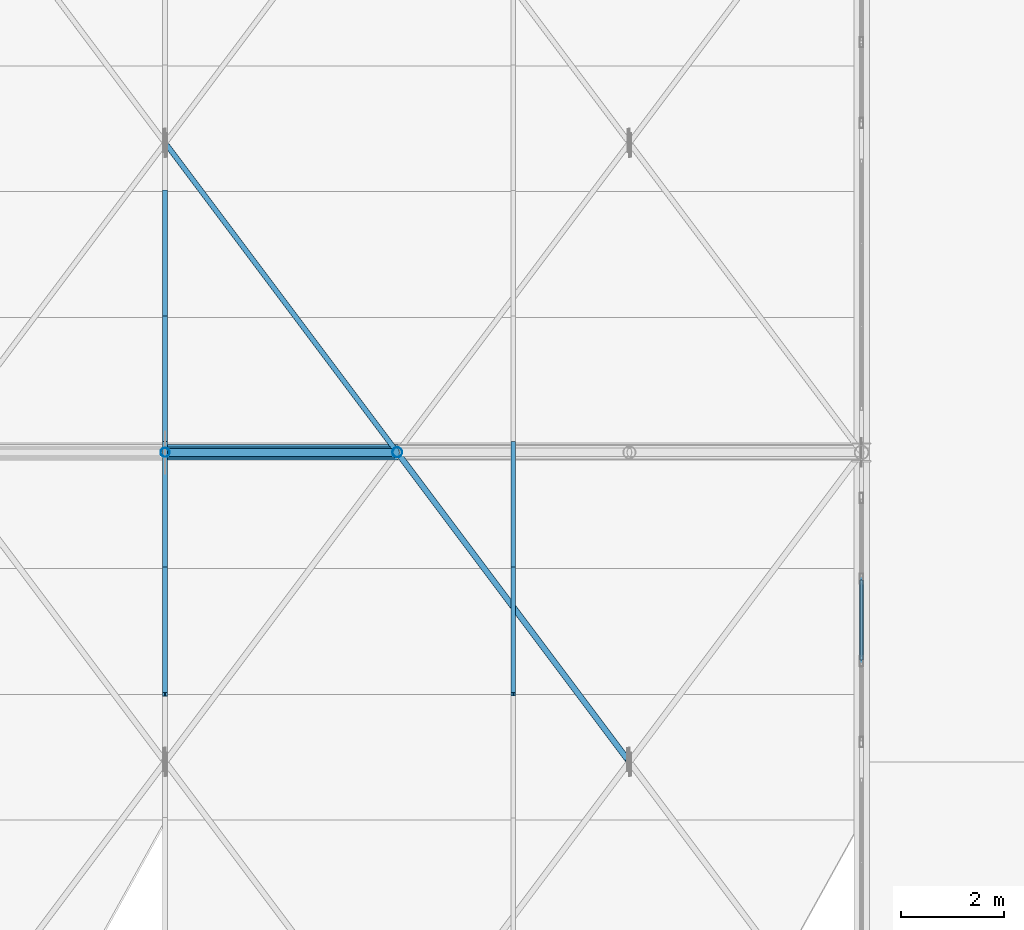
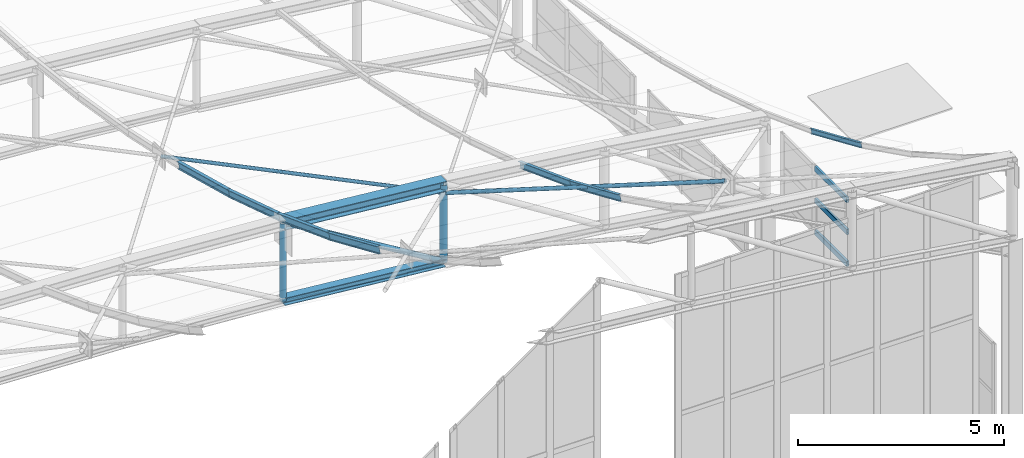
# One storey, part 75 of 262: 17 members, 1 element without a shape of its own.
"""IFC4 building model written with IfcOpenShell, lengths in metres."""

import ifcopenshell
import ifcopenshell.guid

model = None  # the IFC model being written
_history = None  # IfcOwnerHistory: only IFC2X3 demands one
_inside = {}  # id of a spatial element -> (the spatial element, [elements in it])
_under = {}  # id of a project, library or spatial element -> (it, [spatial elements below it])
_declared = {}  # id of a project -> (the project, [libraries it declares])
_typed = {}  # id of a type object -> (the type object, [elements of that type])
_made_of = {}  # id of a material, layer set ... -> (it, [elements and type objects made of it])


def new_model(schema):
    """Start an empty IFC model of exactly this schema.

    Asked for "IFC4X3", IfcOpenShell would pick the latest addendum, in which some entities
    have other attributes; the version numbers below select the first issue.
    IFC2X3 requires an IfcOwnerHistory on every rooted entity: one is made here for all.
    """
    global model, _history
    if schema == "IFC4X3":
        model = ifcopenshell.file(schema_version=(4, 3, 0, 0))
    else:
        model = ifcopenshell.file(schema=schema)
    _inside.clear()
    _under.clear()
    _declared.clear()
    _typed.clear()
    _made_of.clear()
    _history = None
    if model.schema == "IFC2X3":
        org = make("IfcOrganization", Name="unknown")
        user = make(
            "IfcPersonAndOrganization",
            ThePerson=make("IfcPerson", FamilyName="unknown"),
            TheOrganization=org,
        )
        app = make(
            "IfcApplication",
            ApplicationDeveloper=org,
            Version="unknown",
            ApplicationFullName="unknown",
            ApplicationIdentifier="unknown",
        )
        _history = make(
            "IfcOwnerHistory",
            OwningUser=user,
            OwningApplication=app,
            ChangeAction="ADDED",
            CreationDate=0,
        )
    return model


def make(cls, **values):
    """One entity of the class cls with the attributes given. An attribute that is None is left unset."""
    return model.create_entity(
        cls, **{name: value for name, value in values.items() if value is not None}
    )


def rooted(cls, **values):
    """An entity with a GlobalId (a new one), such as an element, a storey or a relation."""
    return make(cls, GlobalId=ifcopenshell.guid.new(), OwnerHistory=_history, **values)


def si_unit(unit_type, name, prefix=None):
    """IfcSIUnit, for example si_unit("LENGTHUNIT", "METRE", prefix="MILLI")."""
    return make("IfcSIUnit", UnitType=unit_type, Prefix=prefix, Name=name)


def derived_unit(unit_type, elements):
    """IfcDerivedUnit: a product of units, each with its exponent."""
    return make(
        "IfcDerivedUnit",
        Elements=[
            make("IfcDerivedUnitElement", Unit=unit, Exponent=power)
            for unit, power in elements
        ],
        UnitType=unit_type,
    )


def assignment(units):
    """IfcUnitAssignment: the units of a project."""
    return None if units is None else make("IfcUnitAssignment", Units=units)


def point(xyz):
    """IfcCartesianPoint."""
    return None if xyz is None else make("IfcCartesianPoint", Coordinates=xyz)


def direction(xyz):
    """IfcDirection."""
    return None if xyz is None else make("IfcDirection", DirectionRatios=xyz)


def frame(location, z_axis=None, x_axis=None):
    """IfcAxis2Placement3D, a coordinate frame: its origin and axes. An axis left out is left unset."""
    return make(
        "IfcAxis2Placement3D",
        Location=point(location),
        Axis=direction(z_axis),
        RefDirection=direction(x_axis),
    )


def frame_2d(location, x_axis=None):
    """IfcAxis2Placement2D, a coordinate frame in the plane: its origin and x axis."""
    return make(
        "IfcAxis2Placement2D", Location=point(location), RefDirection=direction(x_axis)
    )


def origin():
    """The frame at (0, 0, 0) with its axes left unset."""
    return frame((0.0, 0.0, 0.0))


def origin_2d():
    """The frame at (0, 0) in the plane with its x axis left unset."""
    return frame_2d((0.0, 0.0))


def place(relative_to, where):
    """IfcLocalPlacement: puts the frame where relative to a parent placement (None: the world)."""
    return make(
        "IfcLocalPlacement", PlacementRelTo=relative_to, RelativePlacement=where
    )


def context(
    kind, dimensions, precision=None, world=None, true_north=None, identifier=None
):
    """IfcGeometricRepresentationContext, for example the 3D "Model" context."""
    return make(
        "IfcGeometricRepresentationContext",
        ContextIdentifier=identifier,
        ContextType=kind,
        CoordinateSpaceDimension=dimensions,
        Precision=precision,
        WorldCoordinateSystem=world,
        TrueNorth=true_north,
    )


def subcontext(parent, identifier, kind, view, scale=None):
    """IfcGeometricRepresentationSubContext, for example "Body" below "Model"."""
    return make(
        "IfcGeometricRepresentationSubContext",
        ContextIdentifier=identifier,
        ContextType=kind,
        ParentContext=parent,
        TargetScale=scale,
        TargetView=view,
    )


def project(units=None, contexts=None):
    """IfcProject with its units and contexts."""
    return rooted(
        "IfcProject",
        Name="project",
        RepresentationContexts=contexts,
        UnitsInContext=assignment(units),
    )


def spatial(cls, under=None, at=None, **own):
    """A site, building, storey or space (cls), placed at a placement, below another one or the project."""
    s = rooted(cls, ObjectPlacement=at, **own)
    if under is not None:
        _under.setdefault(under.id(), (under, []))[1].append(s)
    return s


def profile(cls, at=None, kind="AREA", **sizes):
    """A parametric profile (cls). Its sizes go by their IFC names, for example OverallWidth=200.0."""
    return make(cls, ProfileType=kind, Position=at, **sizes)


def hollow_rectangle(**sizes):
    """IfcRectangleHollowProfileDef."""
    return profile("IfcRectangleHollowProfileDef", **sizes)


def hollow_circle(**sizes):
    """IfcCircleHollowProfileDef."""
    return profile("IfcCircleHollowProfileDef", **sizes)


def i_section(**sizes):
    """IfcIShapeProfileDef."""
    return profile("IfcIShapeProfileDef", **sizes)


def extrude(swept, where, along, depth):
    """IfcExtrudedAreaSolid: the profile swept, set in the frame where, extruded along a direction by depth."""
    return make(
        "IfcExtrudedAreaSolid",
        SweptArea=swept,
        Position=where,
        ExtrudedDirection=direction(along),
        Depth=depth,
    )


def shape(context_of_items, identifier, shape_type, items):
    """IfcShapeRepresentation: the items that make up one representation, for example the "Body"."""
    return make(
        "IfcShapeRepresentation",
        ContextOfItems=context_of_items,
        RepresentationIdentifier=identifier,
        RepresentationType=shape_type,
        Items=items,
    )


def material(Name=None, Category=None):
    """IfcMaterial."""
    return make("IfcMaterial", Name=Name, Category=Category)


def layer(
    of_material, thickness, ventilated=None, Name=None, Category=None, Priority=None
):
    """IfcMaterialLayer: one layer of a wall or slab, of a material (None: an air gap)."""
    return make(
        "IfcMaterialLayer",
        Material=of_material,
        LayerThickness=thickness,
        IsVentilated=ventilated,
        Name=Name,
        Category=Category,
        Priority=Priority,
    )


def layer_set(layers, Name=None):
    """IfcMaterialLayerSet."""
    return make("IfcMaterialLayerSet", MaterialLayers=layers, LayerSetName=Name)


def material_profile(
    of_material, cross_section, Name=None, Category=None, Priority=None
):
    """IfcMaterialProfile: a cross section and its material."""
    return make(
        "IfcMaterialProfile",
        Name=Name,
        Material=of_material,
        Profile=cross_section,
        Priority=Priority,
        Category=Category,
    )


def profile_set(profiles, Name=None, composite=None):
    """IfcMaterialProfileSet."""
    return make(
        "IfcMaterialProfileSet",
        Name=Name,
        MaterialProfiles=profiles,
        CompositeProfile=composite,
    )


def made_of(thing, what):
    """Note that an element or type object is made of a material, layer set ...; save() writes the relation."""
    if what is not None:
        _made_of.setdefault(what.id(), (what, []))[1].append(thing)
    return thing


def type_object(cls, material=None, **own):
    """A type object (cls), such as IfcWallType, which elements share."""
    return made_of(rooted(cls, **own), material)


def element(
    cls,
    number,
    at=None,
    inside=None,
    cuts=None,
    type_object=None,
    material=None,
    context=None,
    identifier="Body",
    shape_type=None,
    held_by="IfcProductDefinitionShape",
    body=None,
    shapes=None,
    **own,
):
    """One element of the class cls, such as IfcWall. Its Tag is "e" and its number.

    at: its placement. inside: the storey or other place that contains it. cuts: it is an
    opening in that element (IfcRelVoidsElement). A single representation is given by context,
    identifier, shape_type and body (its items); several are given by shapes. held_by: the class
    of the entity that holds the representations. save() writes the other relations.
    """
    e = rooted(cls, Tag="e%d" % number, ObjectPlacement=at, **own)
    if body is not None:
        shapes = [shape(context, identifier, shape_type, body)]
    if shapes is not None:
        e.Representation = make(held_by, Representations=shapes)
    if inside is not None:
        _inside.setdefault(inside.id(), (inside, []))[1].append(e)
    if cuts is not None:
        rooted(
            "IfcRelVoidsElement", RelatingBuildingElement=cuts, RelatedOpeningElement=e
        )
    if type_object is not None:
        _typed.setdefault(type_object.id(), (type_object, []))[1].append(e)
    return made_of(e, material)


def aggregate(whole, parts):
    """IfcRelAggregates: a whole, such as a stair, and the parts it consists of."""
    return rooted("IfcRelAggregates", RelatingObject=whole, RelatedObjects=parts)


def save(model, path):
    """Write the relations noted so far, then the file.

    IfcRelAggregates (storeys below a building ...), IfcRelContainedInSpatialStructure (elements
    in a storey), IfcRelDefinesByType, IfcRelAssociatesMaterial and IfcRelDeclares: one each for
    every whole, place, type object, material and project.
    """
    for whole, parts in _under.values():
        aggregate(whole, parts)
    for where, things in _inside.values():
        rooted(
            "IfcRelContainedInSpatialStructure",
            RelatedElements=things,
            RelatingStructure=where,
        )
    for kind, things in _typed.values():
        rooted("IfcRelDefinesByType", RelatedObjects=things, RelatingType=kind)
    for what, things in _made_of.values():
        rooted("IfcRelAssociatesMaterial", RelatedObjects=things, RelatingMaterial=what)
    for by, libraries in _declared.values():
        rooted("IfcRelDeclares", RelatingContext=by, RelatedDefinitions=libraries)
    model.write(path)


model = new_model("IFC4")

# Units and contexts
model_context = context("Model", 3, precision=1e-05, world=origin(), true_north=direction((0.0, 1.0)))
body_context = subcontext(model_context, "Body", "Model", "MODEL_VIEW")
ifc_project = project(units=[si_unit("LENGTHUNIT", "METRE"), si_unit("AREAUNIT", "SQUARE_METRE"), si_unit("VOLUMEUNIT", "CUBIC_METRE"), si_unit("PLANEANGLEUNIT", "RADIAN"), si_unit("MASSUNIT", "GRAM", prefix="KILO"), derived_unit("THERMALTRANSMITTANCEUNIT", [(si_unit("POWERUNIT", "WATT"), 1), (si_unit("LENGTHUNIT", "METRE"), -2), (si_unit("THERMODYNAMICTEMPERATUREUNIT", "KELVIN"), -1)])], contexts=[model_context])

# Site, building, storey
site_placement = place(None, origin())
site = spatial("IfcSite", under=ifc_project, at=site_placement, CompositionType="ELEMENT")
building_placement = place(site_placement, origin())
building = spatial("IfcBuilding", under=site, at=building_placement, Name="Almenara Railside Exhibition Hall", CompositionType="ELEMENT")
storey_placement = place(building_placement, frame((0.0, 0.0, 21.699951171875)))
storey = spatial("IfcBuildingStorey", under=building, at=storey_placement, Name="RF", CompositionType="ELEMENT", Elevation=21.699951171875)

# Members
ifc_material_1 = material(Name="Structural steel S355JR", Category="steel")
ifc_material_profile_1 = material_profile(ifc_material_1, i_section(OverallWidth=0.300048828125, OverallDepth=0.300048828125, WebThickness=0.010986328125, FlangeThickness=0.01904296875, FilletRadius=0.027099609375, at=origin_2d()), Name="HEB 300")
ifc_profile_set_1 = profile_set([ifc_material_profile_1], Name="Structural steel S355JR")
member_type_1 = type_object("IfcMemberType", Name="Arched Inner Top Chord HEB 300 S355JR", PredefinedType="CHORD", material=ifc_profile_set_1)
member_1_placement = place(storey_placement, frame((52.5, 60.0, 4.4912109375), z_axis=(0.995512933083, 0.0, -0.094625578275), x_axis=(0.0, 1.0, 0.0)))
element("IfcMember", 1, at=member_1_placement, inside=storey, type_object=member_type_1, Name="MEM-TC-V1-01-09", PredefinedType="CHORD", context=body_context, shape_type="SweptSolid", body=[
    extrude(i_section(OverallWidth=0.300048828125, OverallDepth=0.300048828125, WebThickness=0.010986328125, FlangeThickness=0.01904296875, FilletRadius=0.027099609375, at=origin_2d()), origin(), (0.0, 0.0, 1.0), 4.520263671875),
])
ifc_material_profile_2 = material_profile(ifc_material_1, i_section(OverallWidth=0.072998046875, OverallDepth=0.139892578125, WebThickness=0.004638671875, FlangeThickness=0.0068359375, FilletRadius=0.007080078125, at=origin_2d()), Name="IPE 140")
ifc_profile_set_2 = profile_set([ifc_material_profile_2], Name="Structural steel S355JR")
member_type_2 = type_object("IfcMemberType", Name="Canopy Edge Purlin IPE 140 S355JR", PredefinedType="PURLIN", material=ifc_profile_set_2)
member_2_placement = place(storey_placement, frame((66.0, 55.31005859375, 4.891845703125), z_axis=(0.0, 0.917189812532, -0.398450558775), x_axis=(-1.0, 0.0, 0.0)))
element("IfcMember", 2, at=member_2_placement, inside=storey, type_object=member_type_2, Name="MEM-PR-V1-PR-IPE140-08-03", PredefinedType="PURLIN", context=body_context, shape_type="SweptSolid", body=[
    extrude(i_section(OverallWidth=0.072998046875, OverallDepth=0.139892578125, WebThickness=0.004638671875, FlangeThickness=0.0068359375, FilletRadius=0.007080078125, at=origin_2d()), origin(), (0.0, 0.0, 1.0), 2.65673828125),
])

# Curtain wall, members
ifc_material_2 = material(Name="Bronze-anodised aluminium and low-E double glazing", Category="aluminium")
ifc_layer = layer(ifc_material_2, 0.179931640625, Name="Bronze-anodised aluminium and low-E double glazing")
ifc_layer_set = layer_set([ifc_layer], Name="Bronze-anodised aluminium and low-E double glazing")
curtain_wall_type = type_object("IfcCurtainWallType", Name="West Hall Clerestory Curtain Wall 4200x2400", PredefinedType="NOTDEFINED", material=ifc_layer_set)
curtain_wall_placement = place(storey_placement, origin())
curtain_wall = element("IfcCurtainWall", 3, at=curtain_wall_placement, inside=storey, type_object=curtain_wall_type, Name="Curtain wall CW-CL1-171", PredefinedType="NOTDEFINED")
ifc_material_3 = material(Name="Bronze-anodised aluminium", Category="aluminium")
ifc_material_profile_3 = material_profile(ifc_material_3, hollow_rectangle(XDim=0.070068359375, YDim=0.159912109375, WallThickness=0.00390625, InnerFilletRadius=0.00390625, OuterFilletRadius=0.008056640625, at=origin_2d()), Name="ALU-TRN 70x160x4")
ifc_profile_set_3 = profile_set([ifc_material_profile_3], Name="Bronze-anodised aluminium")
member_type_3 = type_object("IfcMemberType", Name="Curtain Wall Transom 70x160x4", PredefinedType="USERDEFINED", material=ifc_profile_set_3)
member_3_placement = place(storey_placement, frame((66.0, 55.97705078125, 0.969970703125), z_axis=(0.0, 1.0, 0.0), x_axis=(-1.0, 0.0, 0.0)))
member_3 = element("IfcMember", 4, at=member_3_placement, type_object=member_type_3, Name="CW-CL1-171 transom 2.1", ObjectType="TRANSOM", PredefinedType="USERDEFINED", context=body_context, shape_type="SweptSolid", body=[
    extrude(hollow_rectangle(XDim=0.070068359375, YDim=0.159912109375, WallThickness=0.00390625, InnerFilletRadius=0.00390625, OuterFilletRadius=0.008056640625, at=origin_2d()), origin(), (0.0, 0.0, 1.0), 1.5458984375),
])
member_4_placement = place(storey_placement, frame((66.0, 55.97705078125, 1.9150390625), z_axis=(0.0, 1.0, 0.0), x_axis=(-1.0, 0.0, 0.0)))
member_4 = element("IfcMember", 5, at=member_4_placement, type_object=member_type_3, Name="CW-CL1-171 transom 2.2", ObjectType="TRANSOM", PredefinedType="USERDEFINED", context=body_context, shape_type="SweptSolid", body=[
    extrude(hollow_rectangle(XDim=0.070068359375, YDim=0.159912109375, WallThickness=0.00390625, InnerFilletRadius=0.00390625, OuterFilletRadius=0.008056640625, at=origin_2d()), origin(), (0.0, 0.0, 1.0), 1.5458984375),
])
member_5_placement = place(storey_placement, frame((66.0, 55.97705078125, 2.860107421875), z_axis=(0.0, 1.0, 0.0), x_axis=(-1.0, 0.0, 0.0)))
member_5 = element("IfcMember", 6, at=member_5_placement, type_object=member_type_3, Name="CW-CL1-171 transom 2.3", ObjectType="TRANSOM", PredefinedType="USERDEFINED", context=body_context, shape_type="SweptSolid", body=[
    extrude(hollow_rectangle(XDim=0.070068359375, YDim=0.159912109375, WallThickness=0.00390625, InnerFilletRadius=0.00390625, OuterFilletRadius=0.008056640625, at=origin_2d()), origin(), (0.0, 0.0, 1.0), 1.5458984375),
])
aggregate(curtain_wall, [member_3, member_4, member_5])

# Members
ifc_material_profile_4 = material_profile(ifc_material_1, i_section(OverallWidth=0.091064453125, OverallDepth=0.179931640625, WebThickness=0.00537109375, FlangeThickness=0.008056640625, FilletRadius=0.009033203125, at=origin_2d()), Name="IPE 180")
ifc_profile_set_4 = profile_set([ifc_material_profile_4], Name="Structural steel S355JR")
member_type_4 = type_object("IfcMemberType", Name="Plenary Roof Purlin IPE 180 S355JR", PredefinedType="PURLIN", material=ifc_profile_set_4)
member_6_placement = place(storey_placement, frame((59.25, 55.31005859375, 5.696533203125), z_axis=(0.0, 0.917189812532, -0.398450558775), x_axis=(-1.0, 0.0, 0.0)))
element("IfcMember", 7, at=member_6_placement, inside=storey, type_object=member_type_4, Name="MEM-PR-V1-PR-IPE180-07-03", PredefinedType="PURLIN", context=body_context, shape_type="SweptSolid", body=[
    extrude(i_section(OverallWidth=0.091064453125, OverallDepth=0.179931640625, WebThickness=0.00537109375, FlangeThickness=0.008056640625, FilletRadius=0.009033203125, at=origin_2d()), origin(), (0.0, 0.0, 1.0), 2.65673828125),
])
member_7_placement = place(storey_placement, frame((59.25, 57.746826171875, 4.644287109375), z_axis=(0.0, 0.936171044044, -0.351544842508), x_axis=(-1.0, 0.0, 0.0)))
element("IfcMember", 8, at=member_7_placement, inside=storey, type_object=member_type_4, Name="MEM-PR-V1-PR-IPE180-07-04", PredefinedType="PURLIN", context=body_context, shape_type="SweptSolid", body=[
    extrude(i_section(OverallWidth=0.091064453125, OverallDepth=0.179931640625, WebThickness=0.00537109375, FlangeThickness=0.008056640625, FilletRadius=0.009033203125, at=origin_2d()), origin(), (0.0, 0.0, 1.0), 2.60302734375),
])
ifc_material_profile_5 = material_profile(ifc_material_1, hollow_circle(Radius=0.05712890625, WallThickness=0.00439453125, at=origin_2d()), Name="CHS 114.3x4.5")
ifc_profile_set_5 = profile_set([ifc_material_profile_5], Name="Structural steel S355JR")
member_type_5 = type_object("IfcMemberType", Name="Roof Wind Plan X-Brace CHS 114.3x4.5 S355JR", PredefinedType="BRACE", material=ifc_profile_set_5)
member_8_placement = place(storey_placement, frame((61.465087890625, 54.046630859375, 6.182861328125), z_axis=(-0.571055940568, 0.761397512754, -0.306869581929), x_axis=(-0.799996063156, -0.60000524909, 0.0)))
element("IfcMember", 9, at=member_8_placement, inside=storey, type_object=member_type_5, Name="MEM-WB-V1-WB-CHS114-00-10-S2", PredefinedType="BRACE", context=body_context, shape_type="SweptSolid", body=[
    extrude(hollow_circle(Radius=0.05712890625, WallThickness=0.00439453125, at=origin_2d()), origin(), (0.0, 0.0, 1.0), 7.819091796875),
])
ifc_material_profile_6 = material_profile(ifc_material_1, i_section(OverallWidth=0.219970703125, OverallDepth=0.219970703125, WebThickness=0.009521484375, FlangeThickness=0.01611328125, FilletRadius=0.01806640625, at=origin_2d()), Name="HEB 220")
ifc_profile_set_6 = profile_set([ifc_material_profile_6], Name="Structural steel S355JR")
member_type_6 = type_object("IfcMemberType", Name="Scroll Tie Chord HEB 220 S355JR", PredefinedType="CHORD", material=ifc_profile_set_6)
member_9_placement = place(storey_placement, frame((52.5, 60.0, 2.191162109375), z_axis=(0.995512933083, 0.0, -0.094625578275), x_axis=(0.0, 1.0, 0.0)))
element("IfcMember", 10, at=member_9_placement, inside=storey, type_object=member_type_6, Name="MEM-BC-V1-01-09", PredefinedType="CHORD", context=body_context, shape_type="SweptSolid", body=[
    extrude(i_section(OverallWidth=0.219970703125, OverallDepth=0.219970703125, WebThickness=0.009521484375, FlangeThickness=0.01611328125, FilletRadius=0.01806640625, at=origin_2d()), origin(), (0.0, 0.0, 1.0), 4.520263671875),
])
ifc_material_profile_7 = material_profile(ifc_material_1, hollow_circle(Radius=0.05078125, WallThickness=0.00390625, at=origin_2d()), Name="CHS 101.6x4")
ifc_profile_set_7 = profile_set([ifc_material_profile_7], Name="Structural steel S355JR")
member_type_7 = type_object("IfcMemberType", Name="Scroll Wind Plan Brace CHS 101.6x4 S355JR", PredefinedType="BRACE", material=ifc_profile_set_7)
member_10_placement = place(storey_placement, frame((57.0, 60.0, 3.783447265625), z_axis=(-0.595016918784, 0.793377570472, -0.128479169642), x_axis=(-0.800007869506, -0.599989507182, 0.0)))
element("IfcMember", 11, at=member_10_placement, inside=storey, type_object=member_type_7, Name="MEM-WB-V1-WB-CHS102-01-08-S1", PredefinedType="BRACE", context=body_context, shape_type="SweptSolid", body=[
    extrude(hollow_circle(Radius=0.05078125, WallThickness=0.00390625, at=origin_2d()), origin(), (0.0, 0.0, 1.0), 7.5078125),
])
ifc_material_profile_8 = material_profile(ifc_material_1, i_section(OverallWidth=0.10009765625, OverallDepth=0.199951171875, WebThickness=0.005615234375, FlangeThickness=0.008544921875, FilletRadius=0.011962890625, at=origin_2d()), Name="IPE 200")
ifc_profile_set_8 = profile_set([ifc_material_profile_8], Name="Structural steel S355JR")
member_type_8 = type_object("IfcMemberType", Name="Standard Hall Roof Purlin IPE 200 S355JR", PredefinedType="PURLIN", material=ifc_profile_set_8)
member_11_placement = place(storey_placement, frame((52.5, 55.31005859375, 6.512451171875), z_axis=(0.0, 0.917223393452, -0.398373250237), x_axis=(-1.0, 0.0, 0.0)))
element("IfcMember", 12, at=member_11_placement, inside=storey, type_object=member_type_8, Name="MEM-PR-V1-PR-IPE200-06-03", PredefinedType="PURLIN", context=body_context, shape_type="SweptSolid", body=[
    extrude(i_section(OverallWidth=0.10009765625, OverallDepth=0.199951171875, WebThickness=0.005615234375, FlangeThickness=0.008544921875, FilletRadius=0.011962890625, at=origin_2d()), origin(), (0.0, 0.0, 1.0), 2.65673828125),
])
member_12_placement = place(storey_placement, frame((52.5, 57.746826171875, 5.46044921875), z_axis=(0.0, 0.936171044044, -0.351544842508), x_axis=(-1.0, 0.0, 0.0)))
element("IfcMember", 13, at=member_12_placement, inside=storey, type_object=member_type_8, Name="MEM-PR-V1-PR-IPE200-06-04", PredefinedType="PURLIN", context=body_context, shape_type="SweptSolid", body=[
    extrude(i_section(OverallWidth=0.10009765625, OverallDepth=0.199951171875, WebThickness=0.005615234375, FlangeThickness=0.008544921875, FilletRadius=0.011962890625, at=origin_2d()), origin(), (0.0, 0.0, 1.0), 2.60302734375),
])
member_13_placement = place(storey_placement, frame((52.5, 60.18359375, 4.55078125), z_axis=(0.0, 0.952468462339, -0.304637207594), x_axis=(-1.0, 0.0, 0.0)))
element("IfcMember", 14, at=member_13_placement, inside=storey, type_object=member_type_8, Name="MEM-PR-V1-PR-IPE200-06-05", PredefinedType="PURLIN", context=body_context, shape_type="SweptSolid", body=[
    extrude(i_section(OverallWidth=0.10009765625, OverallDepth=0.199951171875, WebThickness=0.005615234375, FlangeThickness=0.008544921875, FilletRadius=0.011962890625, at=origin_2d()), origin(), (0.0, 0.0, 1.0), 2.55810546875),
])
member_14_placement = place(storey_placement, frame((52.5, 62.6201171875, 3.77587890625), z_axis=(0.0, 0.966201190487, -0.257789176462), x_axis=(-1.0, 0.0, 0.0)))
element("IfcMember", 15, at=member_14_placement, inside=storey, type_object=member_type_8, Name="MEM-PR-V1-PR-IPE200-06-06", PredefinedType="PURLIN", context=body_context, shape_type="SweptSolid", body=[
    extrude(i_section(OverallWidth=0.10009765625, OverallDepth=0.199951171875, WebThickness=0.005615234375, FlangeThickness=0.008544921875, FilletRadius=0.011962890625, at=origin_2d()), origin(), (0.0, 0.0, 1.0), 2.52197265625),
])
ifc_material_profile_9 = material_profile(ifc_material_1, hollow_circle(Radius=0.076171875, WallThickness=0.0048828125, at=origin_2d()), Name="CHS 152.4x5")
ifc_profile_set_9 = profile_set([ifc_material_profile_9], Name="Structural steel S355JR")
member_type_9 = type_object("IfcMemberType", Name="Truss Mid Diagonal CHS 152.4x5 S355JR", PredefinedType="BRACE", material=ifc_profile_set_9)
member_15_placement = place(storey_placement, frame((52.5, 60.0, 4.4912109375), z_axis=(0.855154829777, 0.0, -0.518372662386), x_axis=(0.0, 1.0, 0.0)))
element("IfcMember", 16, at=member_15_placement, inside=storey, type_object=member_type_9, Name="MEM-TD-V1-01-09", PredefinedType="BRACE", context=body_context, shape_type="SweptSolid", body=[
    extrude(hollow_circle(Radius=0.076171875, WallThickness=0.0048828125, at=origin_2d()), origin(), (0.0, 0.0, 1.0), 5.26220703125),
])
ifc_material_profile_10 = material_profile(ifc_material_1, hollow_circle(Radius=0.0888671875, WallThickness=0.006103515625, at=origin_2d()), Name="CHS 177.8x6")
ifc_profile_set_10 = profile_set([ifc_material_profile_10], Name="Structural steel S355JR")
member_type_10 = type_object("IfcMemberType", Name="Truss Quarter Vertical Strut CHS 177.8x6 S355JR", PredefinedType="BRACE", material=ifc_profile_set_10)
member_16_placement = place(storey_placement, frame((52.5, 60.0, 2.191162109375), z_axis=(0.0, 0.0, 1.0), x_axis=(1.0, 0.0, 0.0)))
element("IfcMember", 17, at=member_16_placement, inside=storey, type_object=member_type_10, Name="MEM-TV-V1-01-09", PredefinedType="BRACE", context=body_context, shape_type="SweptSolid", body=[
    extrude(hollow_circle(Radius=0.0888671875, WallThickness=0.006103515625, at=origin_2d()), origin(), (0.0, 0.0, 1.0), 2.300048828125),
])
ifc_material_profile_11 = material_profile(ifc_material_1, hollow_circle(Radius=0.096923828125, WallThickness=0.00634765625, at=origin_2d()), Name="CHS 193.7x6.3")
ifc_profile_set_11 = profile_set([ifc_material_profile_11], Name="Structural steel S355JR")
member_type_11 = type_object("IfcMemberType", Name="Truss Standard Vertical Strut CHS 193.7x6.3 S355JR", PredefinedType="BRACE", material=ifc_profile_set_11)
member_17_placement = place(storey_placement, frame((57.0, 60.0, 1.763427734375), z_axis=(0.0, 0.0, 1.0), x_axis=(1.0, 0.0, 0.0)))
element("IfcMember", 18, at=member_17_placement, inside=storey, type_object=member_type_11, Name="MEM-TV-V1-01-10", PredefinedType="BRACE", context=body_context, shape_type="SweptSolid", body=[
    extrude(hollow_circle(Radius=0.096923828125, WallThickness=0.00634765625, at=origin_2d()), origin(), (0.0, 0.0, 1.0), 2.300048828125),
])

save(model, "model.ifc")
